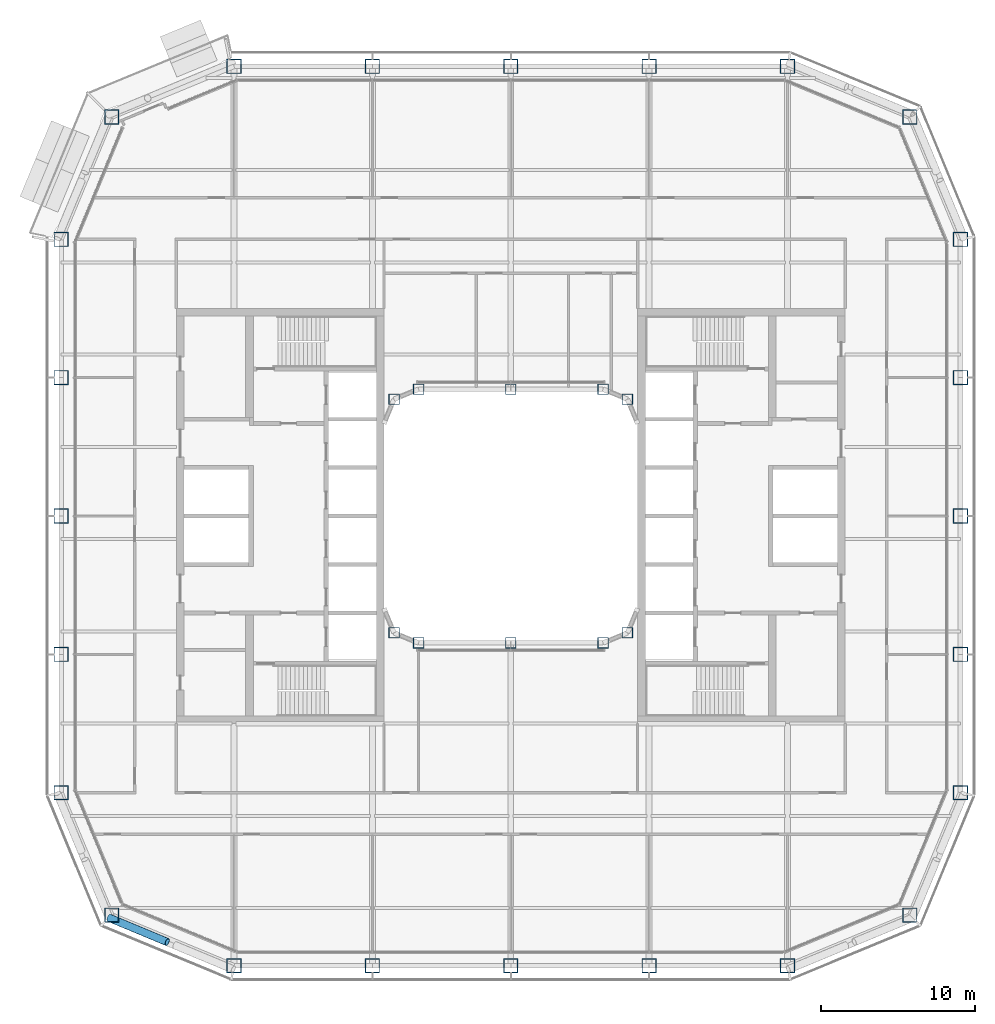
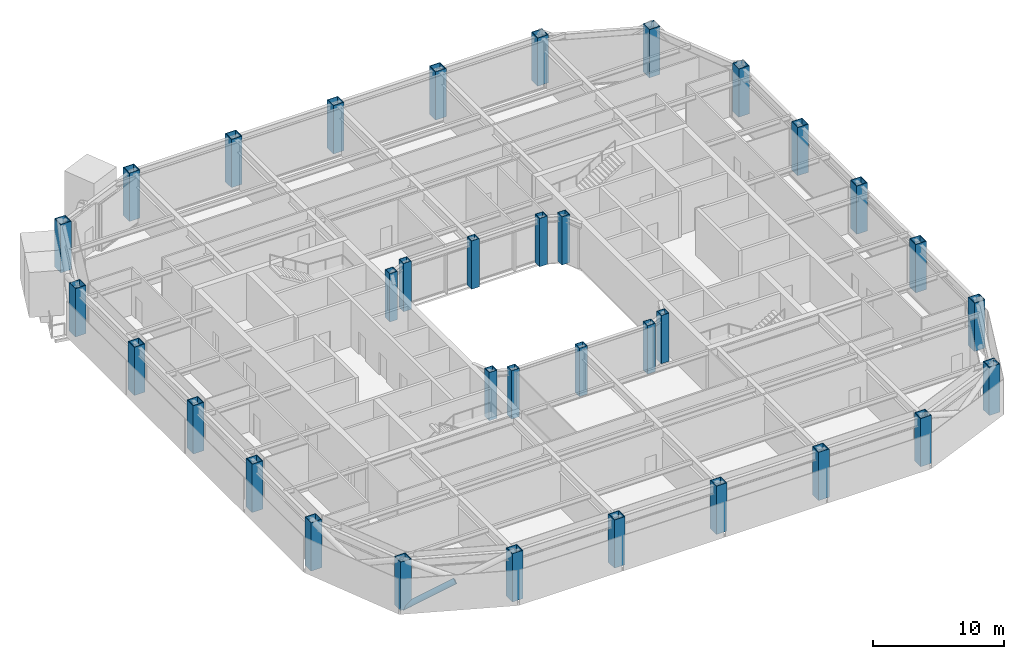
# One storey, part 1 of 23: 34 columns, 1 member.
"""IFC4 building model written with IfcOpenShell, lengths in metres."""

from ifc_helpers import new_model, si_unit, direction, frame, origin, origin_2d, place, context, subcontext, project, spatial, hollow_rectangle, hollow_circle, extrude, material, material_profile, profile_set, type_object, element, save


model = new_model("IFC4")

# Units and contexts
model_context = context("Model", 3, precision=1e-05, world=origin(), true_north=direction((0.0, 1.0)))
body_context = subcontext(model_context, "Body", "Model", "MODEL_VIEW")
ifc_project = project(units=[si_unit("LENGTHUNIT", "METRE"), si_unit("AREAUNIT", "SQUARE_METRE"), si_unit("VOLUMEUNIT", "CUBIC_METRE"), si_unit("PLANEANGLEUNIT", "RADIAN"), si_unit("MASSUNIT", "GRAM", prefix="KILO")], contexts=[model_context])

# Site, building, storey
site_placement = place(None, origin())
site = spatial("IfcSite", under=ifc_project, at=site_placement, CompositionType="ELEMENT")
building_placement = place(site_placement, origin())
building = spatial("IfcBuilding", under=site, at=building_placement, Name="Siwar Civic Tower", CompositionType="ELEMENT")
storey_placement = place(building_placement, frame((0.0, 0.0, 118.199951171875)))
storey = spatial("IfcBuildingStorey", under=building, at=storey_placement, Name="L25", CompositionType="ELEMENT", Elevation=118.199951171875)

# Columns
ifc_material_1 = material(Name="Steel S355", Category="steel")
ifc_material_profile_1 = material_profile(ifc_material_1, hollow_rectangle(XDim=0.949951171875, YDim=0.949951171875, WallThickness=0.054931640625, at=origin_2d()), Name="BOX950x950x55")
ifc_profile_set_1 = profile_set([ifc_material_profile_1], Name="Steel S355")
column_type_1 = type_object("IfcColumnType", Name="STR-COL-BOX950x950x55", PredefinedType="COLUMN", material=ifc_profile_set_1)
for number, where, z_axis, x_axis, name in (
    (1, (-18.0, -29.25, 0.0), (0.0, 0.0, 1.0), (1.0, 0.0, 0.0), "L25/col/S-0"),
    (2, (-9.0, -29.25, 0.0), (0.0, 0.0, 1.0), (1.0, 0.0, 0.0), "L25/col/S-1"),
    (3, (0.0, -29.25, 0.0), (0.0, 0.0, 1.0), (1.0, 0.0, 0.0), "L25/col/S-2"),
    (4, (9.0, -29.25, 0.0), (0.0, 0.0, 1.0), (1.0, 0.0, 0.0), "L25/col/S-3"),
    (5, (18.0, -29.25, 0.0), (0.0, 0.0, 1.0), (1.0, 0.0, 0.0), "L25/col/SE1-0"),
    (6, (25.954833984375, -25.954833984375, 0.0), (0.0, 0.0, 1.0), (1.0, 0.0, 0.0), "L25/col/SE2-0"),
    (7, (29.25, -18.0, 0.0), (0.0, 0.0, 1.0), (1.0, 0.0, 0.0), "L25/col/E-0"),
    (8, (29.25, -9.0, 0.0), (0.0, 0.0, 1.0), (1.0, 0.0, 0.0), "L25/col/E-1"),
    (9, (29.25, 0.0, 0.0), (0.0, 0.0, 1.0), (1.0, 0.0, 0.0), "L25/col/E-2"),
    (10, (29.25, 9.0, 0.0), (0.0, 0.0, 1.0), (1.0, 0.0, 0.0), "L25/col/E-3"),
    (11, (29.25, 18.0, 0.0), (0.0, 0.0, 1.0), (1.0, 0.0, 0.0), "L25/col/NE1-0"),
    (12, (25.954833984375, 25.954833984375, 0.0), (0.0, 0.0, 1.0), (1.0, 0.0, 0.0), "L25/col/NE2-0"),
    (13, (18.0, 29.25, 0.0), (0.0, 0.0, 1.0), (1.0, 0.0, 0.0), "L25/col/N-0"),
    (14, (9.0, 29.25, 0.0), (0.0, 0.0, 1.0), (1.0, 0.0, 0.0), "L25/col/N-1"),
    (15, (0.0, 29.25, 0.0), (0.0, 0.0, 1.0), (1.0, 0.0, 0.0), "L25/col/N-2"),
    (16, (-9.0, 29.25, 0.0), (0.0, 0.0, 1.0), (1.0, 0.0, 0.0), "L25/col/N-3"),
    (17, (-18.0, 29.25, 0.0), (0.0, 0.0, 1.0), (1.0, 0.0, 0.0), "L25/col/NW1-0"),
    (18, (-25.954833984375, 25.954833984375, 0.0), (0.0, 0.0, 1.0), (1.0, 0.0, 0.0), "L25/col/NW2-0"),
    (19, (-29.25, 18.0, 0.0), (0.0, 0.0, 1.0), (1.0, 0.0, 0.0), "L25/col/W-0"),
    (20, (-29.25, 9.0, 0.0), (0.0, 0.0, 1.0), (1.0, 0.0, 0.0), "L25/col/W-1"),
    (21, (-29.25, 0.0, 0.0), (0.0, 0.0, 1.0), (1.0, 0.0, 0.0), "L25/col/W-2"),
    (22, (-29.25, -9.0, 0.0), (0.0, 0.0, 1.0), (1.0, 0.0, 0.0), "L25/col/W-3"),
    (23, (-29.25, -18.0, 0.0), (0.0, 0.0, 1.0), (1.0, 0.0, 0.0), "L25/col/SW1-0"),
    (24, (-25.954833984375, -25.954833984375, 0.0), (0.0, 0.0, 1.0), (1.0, 0.0, 0.0), "L25/col/SW2-0"),
):
    element("IfcColumn", number, at=place(storey_placement, frame(where, z_axis=z_axis, x_axis=x_axis)), inside=storey, type_object=column_type_1, Name=name, PredefinedType="COLUMN", context=body_context, shape_type="SweptSolid", body=[
        extrude(hollow_rectangle(XDim=0.949951171875, YDim=0.949951171875, WallThickness=0.054931640625, at=origin_2d()), origin(), (0.0, 0.0, 1.0), 4.5),
    ])
ifc_material_2 = material(Name="Steel S355", Category="steel")
ifc_material_profile_2 = material_profile(ifc_material_2, hollow_rectangle(XDim=0.699951171875, YDim=0.699951171875, WallThickness=0.0400390625, at=origin_2d()), Name="BOX700x700x40")
ifc_profile_set_2 = profile_set([ifc_material_profile_2], Name="Steel S355")
column_type_2 = type_object("IfcColumnType", Name="STR-ICOL-BOX700x700x40", PredefinedType="COLUMN", material=ifc_profile_set_2)
for number, where, z_axis, x_axis, name in (
    (25, (-7.591064453125, -7.591064453125, 0.0), (0.0, 0.0, 1.0), (1.0, 0.0, 0.0), "L25/col/IS-0"),
    (26, (-6.0, -8.25, 0.0), (0.0, 0.0, 1.0), (1.0, 0.0, 0.0), "L25/col/IS-1"),
    (27, (0.0, -8.25, 0.0), (0.0, 0.0, 1.0), (1.0, 0.0, 0.0), "L25/col/IS-2"),
    (28, (6.0, -8.25, 0.0), (0.0, 0.0, 1.0), (1.0, 0.0, 0.0), "L25/col/IS-3"),
    (29, (7.591064453125, -7.591064453125, 0.0), (0.0, 0.0, 1.0), (1.0, 0.0, 0.0), "L25/col/IS-4"),
    (30, (-7.591064453125, 7.591064453125, 0.0), (0.0, 0.0, 1.0), (1.0, 0.0, 0.0), "L25/col/IN-0"),
    (31, (-6.0, 8.25, 0.0), (0.0, 0.0, 1.0), (1.0, 0.0, 0.0), "L25/col/IN-1"),
    (32, (0.0, 8.25, 0.0), (0.0, 0.0, 1.0), (1.0, 0.0, 0.0), "L25/col/IN-2"),
    (33, (6.0, 8.25, 0.0), (0.0, 0.0, 1.0), (1.0, 0.0, 0.0), "L25/col/IN-3"),
    (34, (7.591064453125, 7.591064453125, 0.0), (0.0, 0.0, 1.0), (1.0, 0.0, 0.0), "L25/col/IN-4"),
):
    element("IfcColumn", number, at=place(storey_placement, frame(where, z_axis=z_axis, x_axis=x_axis)), inside=storey, type_object=column_type_2, Name=name, PredefinedType="COLUMN", context=body_context, shape_type="SweptSolid", body=[
        extrude(hollow_rectangle(XDim=0.699951171875, YDim=0.699951171875, WallThickness=0.0400390625, at=origin_2d()), origin(), (0.0, 0.0, 1.0), 4.5),
    ])

# Member
ifc_material_3 = material(Name="Steel S355", Category="steel")
ifc_material_profile_3 = material_profile(ifc_material_3, hollow_circle(Radius=0.25390625, WallThickness=0.02490234375, at=origin_2d()), Name="CHS508x25")
ifc_profile_set_3 = profile_set([ifc_material_profile_3], Name="Steel S355")
member_type = type_object("IfcMemberType", Name="STR-BR-CHS508x25", PredefinedType="BRACE", material=ifc_profile_set_3)
member_placement = place(storey_placement, frame((-26.1318359375, -26.1318359375, 0.0), z_axis=(0.821143275065, -0.341662474736, 0.457154760636), x_axis=(0.384154943021, 0.923268638995, 0.0)))
element("IfcMember", 35, at=member_placement, inside=storey, type_object=member_type, Name="L25/brc/BSW1-4-0-2", PredefinedType="BRACE", context=body_context, shape_type="SweptSolid", body=[
    extrude(hollow_circle(Radius=0.25390625, WallThickness=0.02490234375, at=origin_2d()), origin(), (0.0, 0.0, 1.0), 4.61474609375),
])

save(model, "model.ifc")
